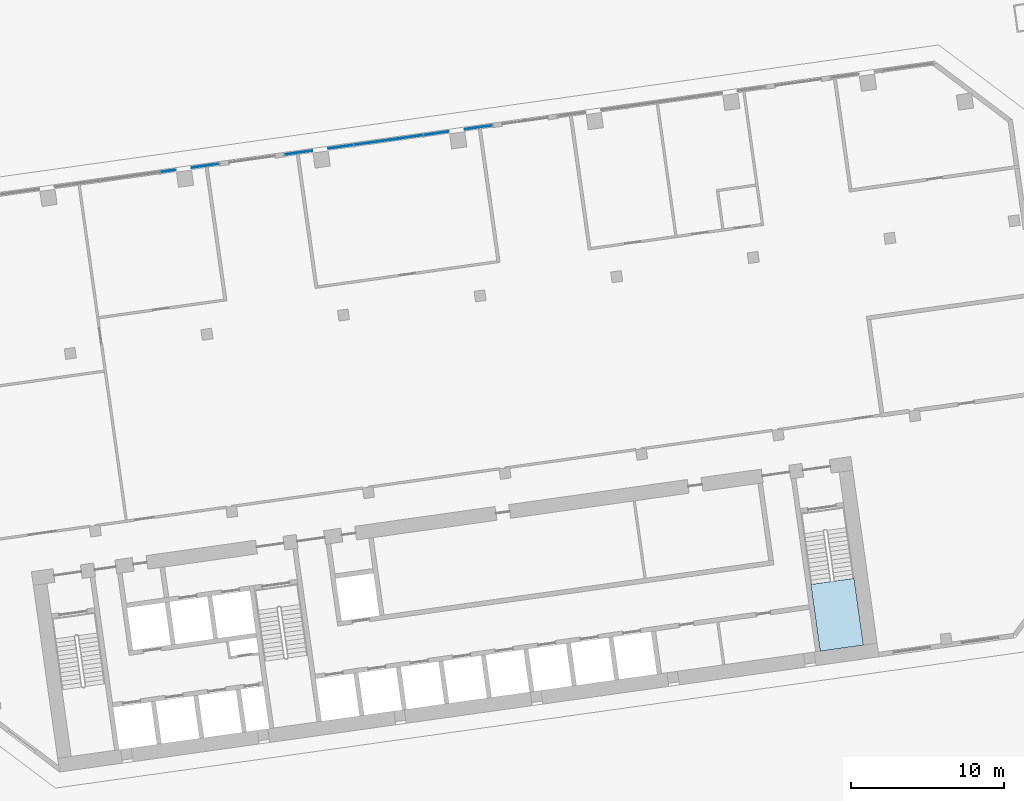
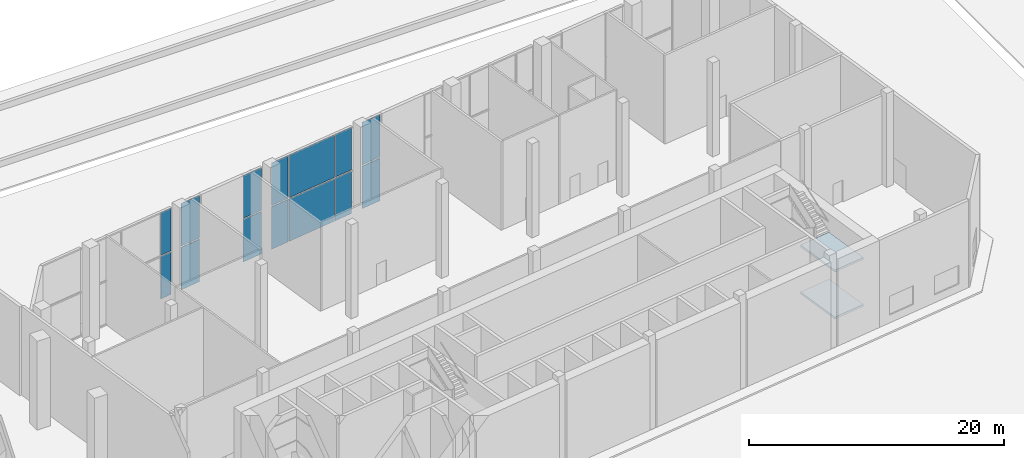
# One storey, part 13 of 34: 14 plates, 2 slabs, 3 elements without a shape of their own.
"""IFC4 building model written with IfcOpenShell, lengths in metres."""

from ifc_helpers import new_model, si_unit, direction, frame, origin, origin_2d, place, context, subcontext, project, spatial, polyline, rectangle, outline, extrude, material, layer, layer_set, type_object, element, aggregate, save


model = new_model("IFC4")

# Units and contexts
model_context = context("Model", 3, precision=1e-05, world=origin(), true_north=direction((0.0, 1.0)))
body_context = subcontext(model_context, "Body", "Model", "MODEL_VIEW")
ifc_project = project(units=[si_unit("LENGTHUNIT", "METRE"), si_unit("AREAUNIT", "SQUARE_METRE"), si_unit("VOLUMEUNIT", "CUBIC_METRE"), si_unit("PLANEANGLEUNIT", "RADIAN"), si_unit("MASSUNIT", "GRAM", prefix="KILO")], contexts=[model_context])

# Site, building, storey
site_placement = place(None, origin())
site = spatial("IfcSite", under=ifc_project, at=site_placement, CompositionType="ELEMENT")
building_placement = place(site_placement, origin())
building = spatial("IfcBuilding", under=site, at=building_placement, Name="Mirante Cascada Hotel Towers", CompositionType="ELEMENT")
storey_placement = place(building_placement, origin())
storey = spatial("IfcBuildingStorey", under=building, at=storey_placement, Name="L00", CompositionType="ELEMENT", Elevation=0.0)

# Curtain wall, plates
ifc_material_1 = material(Name="Aluminium mullion and transom frame with clear laminated glass", Category="aluminium")
curtain_wall_type = type_object("IfcCurtainWallType", Name="Podium curtain wall ECW3", PredefinedType="NOTDEFINED", material=ifc_material_1)
curtain_wall_1_placement = place(storey_placement, origin())
curtain_wall_1 = element("IfcCurtainWall", 1, at=curtain_wall_1_placement, inside=storey, type_object=curtain_wall_type, Name="Podium curtain wall L00 run front.5", PredefinedType="NOTDEFINED")
ifc_material_2 = material(Name="Clear laminated glass", Category="glass")
ifc_layer_1 = layer(ifc_material_2, 0.04)
ifc_layer_set_1 = layer_set([ifc_layer_1], Name="ECW3 glass panel 40")
plate_type = type_object("IfcPlateType", Name="ECW3 glass panel 40", PredefinedType="CURTAIN_PANEL", material=ifc_layer_set_1)
plate_1_placement = place(storey_placement, frame((64.4324, 21.8744, 0.12), z_axis=(0.0, 0.0, 1.0), x_axis=(-0.9902681, -0.1391731, 0.0)))
plate_1 = element("IfcPlate", 2, at=plate_1_placement, type_object=plate_type, Name="ECW3 panel 1", PredefinedType="CURTAIN_PANEL", context=body_context, shape_type="SweptSolid", body=[
    extrude(rectangle(XDim=1.8, YDim=0.04, at=origin_2d()), origin(), (0.0, 0.0, 1.0), 4.07),
])
plate_2_placement = place(storey_placement, frame((64.4324, 21.8744, 4.31), z_axis=(0.0, 0.0, 1.0), x_axis=(-0.9902681, -0.1391731, 0.0)))
plate_2 = element("IfcPlate", 3, at=plate_2_placement, type_object=plate_type, Name="ECW3 panel 1", PredefinedType="CURTAIN_PANEL", context=body_context, shape_type="SweptSolid", body=[
    extrude(rectangle(XDim=1.8, YDim=0.04, at=origin_2d()), origin(), (0.0, 0.0, 1.0), 4.07),
])
plate_3_placement = place(storey_placement, frame((61.6993, 21.4903, 0.12), z_axis=(0.0, 0.0, 1.0), x_axis=(-0.9902681, -0.1391731, 0.0)))
plate_3 = element("IfcPlate", 4, at=plate_3_placement, type_object=plate_type, Name="ECW3 panel 1", PredefinedType="CURTAIN_PANEL", context=body_context, shape_type="SweptSolid", body=[
    extrude(rectangle(XDim=1.64, YDim=0.04, at=origin_2d()), origin(), (0.0, 0.0, 1.0), 4.07),
])
plate_4_placement = place(storey_placement, frame((61.6993, 21.4903, 4.31), z_axis=(0.0, 0.0, 1.0), x_axis=(-0.9902681, -0.1391731, 0.0)))
plate_4 = element("IfcPlate", 5, at=plate_4_placement, type_object=plate_type, Name="ECW3 panel 1", PredefinedType="CURTAIN_PANEL", context=body_context, shape_type="SweptSolid", body=[
    extrude(rectangle(XDim=1.64, YDim=0.04, at=origin_2d()), origin(), (0.0, 0.0, 1.0), 4.07),
])
plate_5_placement = place(storey_placement, frame((58.57, 21.0505, 0.12), z_axis=(0.0, 0.0, 1.0), x_axis=(-0.9902681, -0.1391731, 0.0)))
plate_5 = element("IfcPlate", 6, at=plate_5_placement, type_object=plate_type, Name="ECW3 panel 2", PredefinedType="CURTAIN_PANEL", context=body_context, shape_type="SweptSolid", body=[
    extrude(rectangle(XDim=4.52, YDim=0.04, at=origin_2d()), origin(), (0.0, 0.0, 1.0), 4.07),
])
plate_6_placement = place(storey_placement, frame((58.57, 21.0505, 4.31), z_axis=(0.0, 0.0, 1.0), x_axis=(-0.9902681, -0.1391731, 0.0)))
plate_6 = element("IfcPlate", 7, at=plate_6_placement, type_object=plate_type, Name="ECW3 panel 2", PredefinedType="CURTAIN_PANEL", context=body_context, shape_type="SweptSolid", body=[
    extrude(rectangle(XDim=4.52, YDim=0.04, at=origin_2d()), origin(), (0.0, 0.0, 1.0), 4.07),
])
plate_7_placement = place(storey_placement, frame((55.4408, 20.6107, 0.12), z_axis=(0.0, 0.0, 1.0), x_axis=(-0.9902681, -0.1391731, 0.0)))
plate_7 = element("IfcPlate", 8, at=plate_7_placement, type_object=plate_type, Name="ECW3 panel 3", PredefinedType="CURTAIN_PANEL", context=body_context, shape_type="SweptSolid", body=[
    extrude(rectangle(XDim=1.64, YDim=0.04, at=origin_2d()), origin(), (0.0, 0.0, 1.0), 4.07),
])
plate_8_placement = place(storey_placement, frame((55.4408, 20.6107, 4.31), z_axis=(0.0, 0.0, 1.0), x_axis=(-0.9902681, -0.1391731, 0.0)))
plate_8 = element("IfcPlate", 9, at=plate_8_placement, type_object=plate_type, Name="ECW3 panel 3", PredefinedType="CURTAIN_PANEL", context=body_context, shape_type="SweptSolid", body=[
    extrude(rectangle(XDim=1.64, YDim=0.04, at=origin_2d()), origin(), (0.0, 0.0, 1.0), 4.07),
])
plate_9_placement = place(storey_placement, frame((52.7076, 20.2266, 0.12), z_axis=(0.0, 0.0, 1.0), x_axis=(-0.9902681, -0.1391731, 0.0)))
plate_9 = element("IfcPlate", 10, at=plate_9_placement, type_object=plate_type, Name="ECW3 panel 3", PredefinedType="CURTAIN_PANEL", context=body_context, shape_type="SweptSolid", body=[
    extrude(rectangle(XDim=1.8, YDim=0.04, at=origin_2d()), origin(), (0.0, 0.0, 1.0), 4.07),
])
plate_10_placement = place(storey_placement, frame((52.7076, 20.2266, 4.31), z_axis=(0.0, 0.0, 1.0), x_axis=(-0.9902681, -0.1391731, 0.0)))
plate_10 = element("IfcPlate", 11, at=plate_10_placement, type_object=plate_type, Name="ECW3 panel 3", PredefinedType="CURTAIN_PANEL", context=body_context, shape_type="SweptSolid", body=[
    extrude(rectangle(XDim=1.8, YDim=0.04, at=origin_2d()), origin(), (0.0, 0.0, 1.0), 4.07),
])
aggregate(curtain_wall_1, [plate_1, plate_2, plate_3, plate_4, plate_5, plate_6, plate_7, plate_8, plate_9, plate_10])

curtain_wall_2_placement = place(storey_placement, origin())
curtain_wall_2 = element("IfcCurtainWall", 12, at=curtain_wall_2_placement, inside=storey, type_object=curtain_wall_type, Name="Podium curtain wall L00 run front.7", PredefinedType="NOTDEFINED")
plate_11_placement = place(storey_placement, frame((46.6076, 19.3693, 0.12), z_axis=(0.0, 0.0, 1.0), x_axis=(-0.9902681, -0.1391731, 0.0)))
plate_11 = element("IfcPlate", 13, at=plate_11_placement, type_object=plate_type, Name="ECW3 panel 1", PredefinedType="CURTAIN_PANEL", context=body_context, shape_type="SweptSolid", body=[
    extrude(rectangle(XDim=1.8, YDim=0.04, at=origin_2d()), origin(), (0.0, 0.0, 1.0), 4.07),
])
plate_12_placement = place(storey_placement, frame((46.6076, 19.3693, 4.31), z_axis=(0.0, 0.0, 1.0), x_axis=(-0.9902681, -0.1391731, 0.0)))
plate_12 = element("IfcPlate", 14, at=plate_12_placement, type_object=plate_type, Name="ECW3 panel 1", PredefinedType="CURTAIN_PANEL", context=body_context, shape_type="SweptSolid", body=[
    extrude(rectangle(XDim=1.8, YDim=0.04, at=origin_2d()), origin(), (0.0, 0.0, 1.0), 4.07),
])
plate_13_placement = place(storey_placement, frame((44.1916, 19.0297, 0.12), z_axis=(0.0, 0.0, 1.0), x_axis=(-0.9902681, -0.1391731, 0.0)))
plate_13 = element("IfcPlate", 15, at=plate_13_placement, type_object=plate_type, Name="ECW3 panel 1", PredefinedType="CURTAIN_PANEL", context=body_context, shape_type="SweptSolid", body=[
    extrude(rectangle(XDim=0.9995, YDim=0.04, at=origin_2d()), origin(), (0.0, 0.0, 1.0), 4.07),
])
plate_14_placement = place(storey_placement, frame((44.1916, 19.0297, 4.31), z_axis=(0.0, 0.0, 1.0), x_axis=(-0.9902681, -0.1391731, 0.0)))
plate_14 = element("IfcPlate", 16, at=plate_14_placement, type_object=plate_type, Name="ECW3 panel 1", PredefinedType="CURTAIN_PANEL", context=body_context, shape_type="SweptSolid", body=[
    extrude(rectangle(XDim=0.9995, YDim=0.04, at=origin_2d()), origin(), (0.0, 0.0, 1.0), 4.07),
])
aggregate(curtain_wall_2, [plate_11, plate_12, plate_13, plate_14])

# Stair, slabs
ifc_material_3 = material(Name="Concrete C35/45", Category="concrete")
stair_type = type_object("IfcStairType", Name="Exit stair half-turn 1350 concrete C35/45", PredefinedType="HALF_TURN_STAIR", material=ifc_material_3)
stair_placement = place(storey_placement, origin())
stair = element("IfcStair", 17, at=stair_placement, inside=storey, type_object=stair_type, Name="L00 Exit stair C", PredefinedType="HALF_TURN_STAIR")
ifc_material_4 = material(Name="Concrete C35/45", Category="concrete")
ifc_layer_2 = layer(ifc_material_4, 0.2)
ifc_layer_set_2 = layer_set([ifc_layer_2], Name="Exit stair landing 200 concrete C35/45")
slab_type = type_object("IfcSlabType", Name="Exit stair landing 200 concrete C35/45", PredefinedType="LANDING", material=ifc_layer_set_2)
slab_1_placement = place(storey_placement, frame((0.0, 0.0, 2.05)))
slab_1 = element("IfcSlab", 18, at=slab_1_placement, type_object=slab_type, Name="ST2-C landing 1", PredefinedType="LANDING", context=body_context, shape_type="SweptSolid", body=[
    extrude(outline(polyline([(86.1241, -7.9489), (86.7362, -12.3041), (89.5585, -11.9075), (88.9464, -7.5523), (86.1241, -7.9489)])), origin(), (0.0, 0.0, 1.0), 0.2),
])
slab_2_placement = place(storey_placement, frame((0.0, 0.0, 6.55)))
slab_2 = element("IfcSlab", 19, at=slab_2_placement, type_object=slab_type, Name="ST2-C landing 3", PredefinedType="LANDING", context=body_context, shape_type="SweptSolid", body=[
    extrude(outline(polyline([(86.1241, -7.9489), (86.7362, -12.3041), (89.5585, -11.9075), (88.9464, -7.5523), (86.1241, -7.9489)])), origin(), (0.0, 0.0, 1.0), 0.2),
])
aggregate(stair, [slab_1, slab_2])

save(model, "model.ifc")
